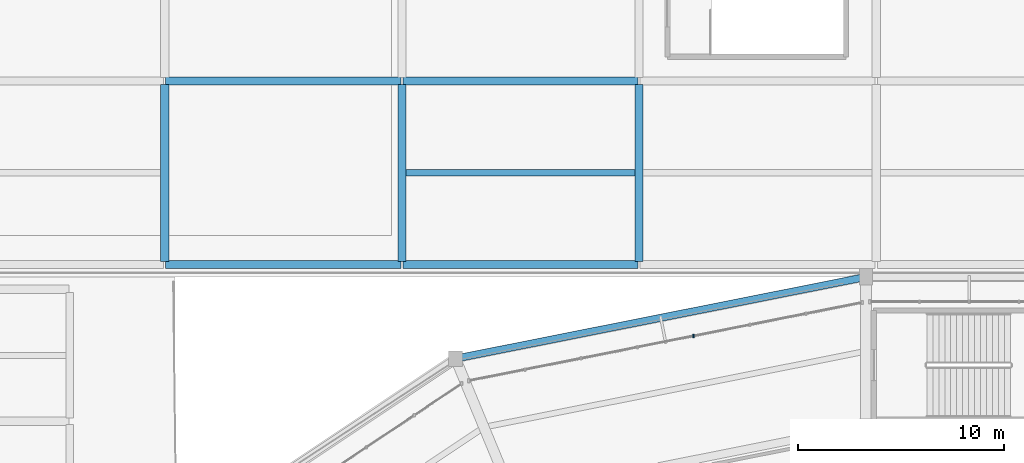
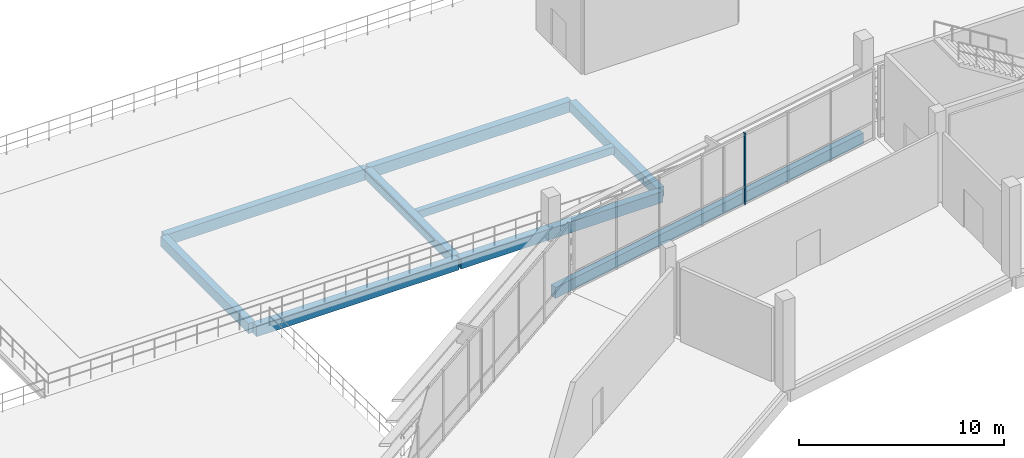
# One storey, part 47 of 111: 9 beams, 1 member, 1 element without a shape of its own.
"""IFC4 building model written with IfcOpenShell, lengths in metres."""

from ifc_helpers import new_model, si_unit, direction, frame, origin, origin_2d, place, context, subcontext, project, spatial, rectangle, extrude, material, material_profile, profile_set, type_object, element, aggregate, save


model = new_model("IFC4")

# Units and contexts
model_context = context("Model", 3, precision=1e-05, world=origin(), true_north=direction((0.0, 1.0)))
body_context = subcontext(model_context, "Body", "Model", "MODEL_VIEW")
ifc_project = project(units=[si_unit("LENGTHUNIT", "METRE"), si_unit("AREAUNIT", "SQUARE_METRE"), si_unit("VOLUMEUNIT", "CUBIC_METRE"), si_unit("PLANEANGLEUNIT", "RADIAN"), si_unit("MASSUNIT", "GRAM", prefix="KILO")], contexts=[model_context])

# Site, building, storey
site_placement = place(None, origin())
site = spatial("IfcSite", under=ifc_project, at=site_placement, CompositionType="ELEMENT")
building_placement = place(site_placement, origin())
building = spatial("IfcBuilding", under=site, at=building_placement, Name="Candeia Ridge Stadium", CompositionType="ELEMENT")
storey_placement = place(building_placement, frame((0.0, 0.0, 16.199951171875)))
storey = spatial("IfcBuildingStorey", under=building, at=storey_placement, Name="L03", CompositionType="ELEMENT", Elevation=16.199951171875)

# Curtain wall, member
ifc_material_1 = material(Name="Aluminium Anodized Warm Bronze", Category="aluminium")
curtain_wall_type = type_object("IfcCurtainWallType", Name="Concourse Recessed Unitised Curtain Wall", PredefinedType="NOTDEFINED", material=ifc_material_1)
curtain_wall_placement = place(storey_placement, origin())
curtain_wall = element("IfcCurtainWall", 1, at=curtain_wall_placement, inside=storey, type_object=curtain_wall_type, Name="Unitised curtain wall CW-BWL-L03-07", PredefinedType="NOTDEFINED")
ifc_material_profile_1 = material_profile(ifc_material_1, rectangle(XDim=0.074951171875, YDim=0.14990234375, at=origin_2d()), Name="CWM-75x150", Category="aluminium")
ifc_profile_set_1 = profile_set([ifc_material_profile_1], Name="Aluminium Anodized Warm Bronze")
member_type = type_object("IfcMemberType", Name="Curtain Wall Secondary Mullion 75x150", PredefinedType="MULLION", material=ifc_profile_set_1)
member_placement = place(storey_placement, frame((62.643310546875, 144.1376953125, 0.0), z_axis=(0.0, 0.0, 1.0), x_axis=(1.0, 0.0, 0.0)))
member = element("IfcMember", 2, at=member_placement, type_object=member_type, Name="Curtain wall mullion CW-BWL-L03-07-M3", PredefinedType="MULLION", context=body_context, shape_type="SweptSolid", body=[
    extrude(rectangle(XDim=0.074951171875, YDim=0.14990234375, at=origin_2d()), origin(), (0.0, 0.0, 1.0), 4.2451171875),
])
aggregate(curtain_wall, [member])

# Beams
ifc_material_2 = material(Name="Concrete C40/50", Category="concrete")
ifc_material_profile_2 = material_profile(ifc_material_2, rectangle(XDim=0.300048828125, YDim=0.449951171875, at=origin_2d()), Name="RC300x450", Category="concrete")
ifc_profile_set_2 = profile_set([ifc_material_profile_2], Name="Concrete C40/50")
beam_type_1 = type_object("IfcBeamType", Name="Floor Joist RC300x450", PredefinedType="JOIST", material=ifc_profile_set_2)
beam_1_placement = place(storey_placement, frame((48.699462890625, 152.050048828125, -0.5048828125), z_axis=(1.0, 0.0, 0.0), x_axis=(0.0, 1.0, 0.0)))
element("IfcBeam", 3, at=beam_1_placement, inside=storey, type_object=beam_type_1, Name="Wing secondary joist BM-L03-1876", PredefinedType="JOIST", context=body_context, shape_type="SweptSolid", body=[
    extrude(rectangle(XDim=0.300048828125, YDim=0.449951171875, at=origin_2d()), origin(), (0.0, 0.0, 1.0), 11.10107421875),
])
ifc_material_profile_3 = material_profile(ifc_material_2, rectangle(XDim=0.39990234375, YDim=0.60009765625, at=origin_2d()), Name="RC400x600", Category="concrete")
ifc_profile_set_3 = profile_set([ifc_material_profile_3], Name="Concrete C40/50")
beam_type_2 = type_object("IfcBeamType", Name="Frame Girder RC400x600", PredefinedType="BEAM", material=ifc_profile_set_3)
for number, where, z_axis, x_axis, name in (
    (4, (37.0, 147.760009765625, -0.579833984375), (0.0, 1.0, 0.0), (-1.0, 0.0, 0.0), "Structural girder BM-L03-1854"),
    (5, (48.5, 147.760009765625, -0.579833984375), (0.0, 1.0, 0.0), (-1.0, 0.0, 0.0), "Structural girder BM-L03-1856"),
    (6, (60.0, 147.760009765625, -0.579833984375), (0.0, 1.0, 0.0), (-1.0, 0.0, 0.0), "Structural girder BM-L03-1858"),
):
    element("IfcBeam", number, at=place(storey_placement, frame(where, z_axis=z_axis, x_axis=x_axis)), inside=storey, type_object=beam_type_2, Name=name, PredefinedType="BEAM", context=body_context, shape_type="SweptSolid", body=[
        extrude(rectangle(XDim=0.39990234375, YDim=0.60009765625, at=origin_2d()), origin(), (0.0, 0.0, 1.0), 8.580078125),
    ])
ifc_material_profile_4 = material_profile(ifc_material_2, rectangle(XDim=0.35009765625, YDim=0.64990234375, at=origin_2d()), Name="RC350x650", Category="concrete")
ifc_profile_set_4 = profile_set([ifc_material_profile_4], Name="Concrete C40/50")
beam_type_3 = type_object("IfcBeamType", Name="Spandrel Beam RC350x650", PredefinedType="SPANDREL", material=ifc_profile_set_4)
beam_2_placement = place(storey_placement, frame((70.843017578125, 146.96875, -0.574951171875), z_axis=(-0.980786091775, -0.195086242929, 0.0), x_axis=(0.195086242929, -0.980786091775, 0.0)))
element("IfcBeam", 7, at=beam_2_placement, inside=storey, type_object=beam_type_3, Name="Bowl perimeter spandrel BM-L03-0585", PredefinedType="SPANDREL", context=body_context, shape_type="SweptSolid", body=[
    extrude(rectangle(XDim=0.35009765625, YDim=0.64990234375, at=origin_2d()), origin(), (0.0, 0.0, 1.0), 19.969482421875),
])
ifc_material_profile_5 = material_profile(ifc_material_2, rectangle(XDim=0.39990234375, YDim=0.64990234375, at=origin_2d()), Name="RC400x650", Category="concrete")
ifc_profile_set_5 = profile_set([ifc_material_profile_5], Name="Concrete C40/50")
beam_type_4 = type_object("IfcBeamType", Name="Wing Primary Girder RC400x650", PredefinedType="BEAM", material=ifc_profile_set_5)
for number, where, z_axis, x_axis, name in (
    (8, (37.050048828125, 147.60009765625, -0.60498046875), (1.0, 0.0, 0.0), (0.0, 1.0, 0.0), "Structural girder BM-L03-1871"),
    (9, (37.050048828125, 156.5, -0.60498046875), (1.0, 0.0, 0.0), (0.0, 1.0, 0.0), "Structural girder BM-L03-1872"),
    (10, (48.550048828125, 147.60009765625, -0.60498046875), (1.0, 0.0, 0.0), (0.0, 1.0, 0.0), "Structural girder BM-L03-1875"),
    (11, (48.550048828125, 156.5, -0.60498046875), (1.0, 0.0, 0.0), (0.0, 1.0, 0.0), "Structural girder BM-L03-1877"),
):
    element("IfcBeam", number, at=place(storey_placement, frame(where, z_axis=z_axis, x_axis=x_axis)), inside=storey, type_object=beam_type_4, Name=name, PredefinedType="BEAM", context=body_context, shape_type="SweptSolid", body=[
        extrude(rectangle(XDim=0.39990234375, YDim=0.64990234375, at=origin_2d()), origin(), (0.0, 0.0, 1.0), 11.39990234375),
    ])

save(model, "model.ifc")
